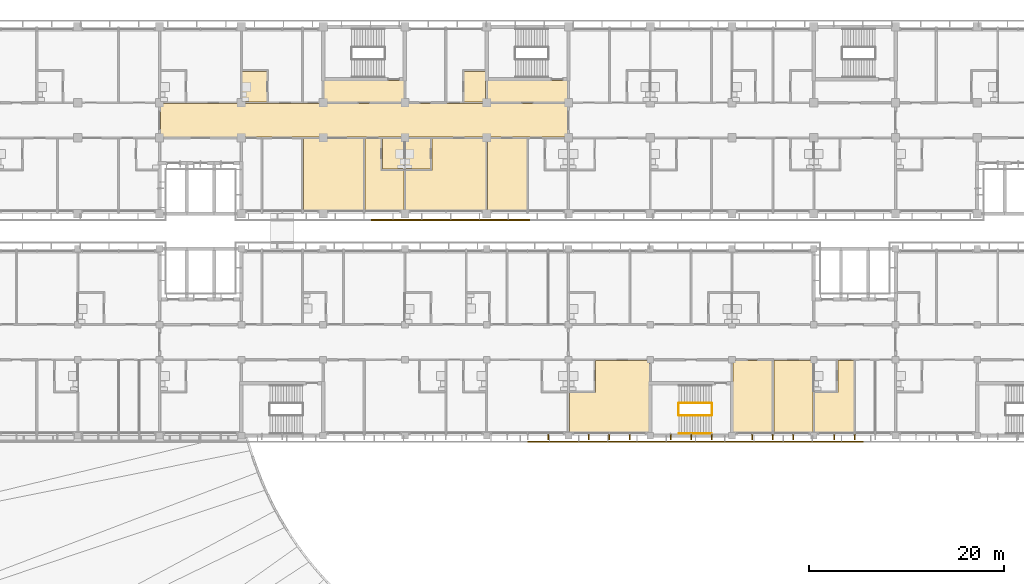
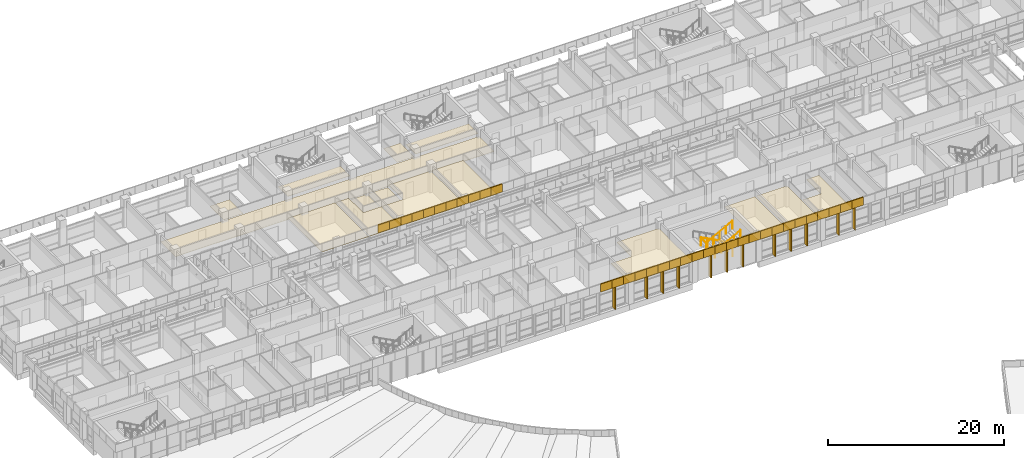
# One storey, part 66 of 74: 49 coverings, 12 shading devices, 5 railings.
"""IFC4 building model written with IfcOpenShell, lengths in metres."""

from ifc_helpers import new_model, si_unit, direction, frame, origin, origin_2d, place, context, subcontext, project, spatial, polyline, rectangle, circle, outline, extrude, material, layer, layer_set, material_profile, profile_set, type_object, element, save


model = new_model("IFC4")

# Units and contexts
model_context = context("Model", 3, precision=1e-05, world=origin(), true_north=direction((0.0, 1.0)))
body_context = subcontext(model_context, "Body", "Model", "MODEL_VIEW")
ifc_project = project(units=[si_unit("LENGTHUNIT", "METRE"), si_unit("AREAUNIT", "SQUARE_METRE"), si_unit("VOLUMEUNIT", "CUBIC_METRE"), si_unit("PLANEANGLEUNIT", "RADIAN"), si_unit("MASSUNIT", "GRAM", prefix="KILO")], contexts=[model_context])

# Site, building, storey
site_placement = place(None, origin())
site = spatial("IfcSite", under=ifc_project, at=site_placement, CompositionType="ELEMENT")
building_placement = place(site_placement, origin())
building = spatial("IfcBuilding", under=site, at=building_placement, Name="Bougainvillea Quay General Hospital", CompositionType="ELEMENT")
storey_placement = place(building_placement, frame((0.0, 0.0, 21.0)))
storey = spatial("IfcBuildingStorey", under=building, at=storey_placement, Name="L04", CompositionType="ELEMENT", Elevation=21.0)

# Coverings
ifc_material_1 = material(Name="Powder-coated aluminium fascia, white", Category="aluminium")
ifc_layer_1 = layer(ifc_material_1, 0.14990234375)
ifc_layer_set_1 = layer_set([ifc_layer_1], Name="Powder-coated aluminium fascia, white")
covering_type_1 = type_object("IfcCoveringType", Name="Aluminium fascia band white 150x1100", PredefinedType="CLADDING", material=ifc_layer_set_1)
covering_1_placement = place(storey_placement, frame((88.941162109375, 139.85009765625, 3.35009765625), z_axis=(0.0, 0.0, 1.0), x_axis=(1.0, 0.0, 0.0)))
element("IfcCovering", 1, at=covering_1_placement, inside=storey, type_object=covering_type_1, Name="Fascia band white e0 150", PredefinedType="CLADDING", context=body_context, shape_type="SweptSolid", body=[
    extrude(outline(polyline([(0.0, 0.0), (1.482421875, 0.0), (1.482421875, -0.150146484375), (0.0, -0.150146484375), (0.0, 0.0)])), origin(), (0.0, 0.0, 1.0), 1.10009765625),
])
covering_2_placement = place(storey_placement, frame((90.423583984375, 139.85009765625, 3.35009765625), z_axis=(0.0, 0.0, 1.0), x_axis=(1.0, 0.0, 0.0)))
element("IfcCovering", 2, at=covering_2_placement, inside=storey, type_object=covering_type_1, Name="Fascia band white e0 151", PredefinedType="CLADDING", context=body_context, shape_type="SweptSolid", body=[
    extrude(outline(polyline([(0.0, 0.0), (1.482177734375, 0.0), (1.482177734375, -0.150146484375), (0.0, -0.150146484375), (0.0, 0.0)])), origin(), (0.0, 0.0, 1.0), 1.10009765625),
])
for number, where, z_axis, x_axis, name in (
    (3, (91.90576171875, 139.85009765625, 3.35009765625), (0.0, 0.0, 1.0), (1.0, 0.0, 0.0), "Fascia band white e0 152"),
    (4, (93.38818359375, 139.85009765625, 3.35009765625), (0.0, 0.0, 1.0), (1.0, 0.0, 0.0), "Fascia band white e0 153"),
    (5, (94.87060546875, 139.85009765625, 3.35009765625), (0.0, 0.0, 1.0), (1.0, 0.0, 0.0), "Fascia band white e0 154"),
):
    element("IfcCovering", number, at=place(storey_placement, frame(where, z_axis=z_axis, x_axis=x_axis)), inside=storey, type_object=covering_type_1, Name=name, PredefinedType="CLADDING", context=body_context, shape_type="SweptSolid", body=[
        extrude(outline(polyline([(0.0, 0.0), (1.482421875, 0.0), (1.482421875, -0.150146484375), (0.0, -0.150146484375), (0.0, 0.0)])), origin(), (0.0, 0.0, 1.0), 1.10009765625),
    ])
covering_3_placement = place(storey_placement, frame((96.35302734375, 139.85009765625, 3.35009765625), z_axis=(0.0, 0.0, 1.0), x_axis=(1.0, 0.0, 0.0)))
element("IfcCovering", 6, at=covering_3_placement, inside=storey, type_object=covering_type_1, Name="Fascia band white e0 155", PredefinedType="CLADDING", context=body_context, shape_type="SweptSolid", body=[
    extrude(outline(polyline([(0.0, 0.0), (1.482177734375, 0.0), (1.482177734375, -0.150146484375), (0.0, -0.150146484375), (0.0, 0.0)])), origin(), (0.0, 0.0, 1.0), 1.10009765625),
])
for number, where, z_axis, x_axis, name in (
    (7, (97.835205078125, 139.85009765625, 3.35009765625), (0.0, 0.0, 1.0), (1.0, 0.0, 0.0), "Fascia band white e0 156"),
    (8, (99.317626953125, 139.85009765625, 3.35009765625), (0.0, 0.0, 1.0), (1.0, 0.0, 0.0), "Fascia band white e0 157"),
    (9, (100.800048828125, 139.85009765625, 3.35009765625), (0.0, 0.0, 1.0), (1.0, 0.0, 0.0), "Fascia band white e0 158"),
):
    element("IfcCovering", number, at=place(storey_placement, frame(where, z_axis=z_axis, x_axis=x_axis)), inside=storey, type_object=covering_type_1, Name=name, PredefinedType="CLADDING", context=body_context, shape_type="SweptSolid", body=[
        extrude(outline(polyline([(0.0, 0.0), (1.482421875, 0.0), (1.482421875, -0.150146484375), (0.0, -0.150146484375), (0.0, 0.0)])), origin(), (0.0, 0.0, 1.0), 1.10009765625),
    ])
covering_4_placement = place(storey_placement, frame((102.282470703125, 139.85009765625, 3.35009765625), z_axis=(0.0, 0.0, 1.0), x_axis=(1.0, 0.0, 0.0)))
element("IfcCovering", 10, at=covering_4_placement, inside=storey, type_object=covering_type_1, Name="Fascia band white e0 159", PredefinedType="CLADDING", context=body_context, shape_type="SweptSolid", body=[
    extrude(outline(polyline([(0.0, 0.0), (1.482177734375, 0.0), (1.482177734375, -0.150146484375), (0.0, -0.150146484375), (0.0, 0.0)])), origin(), (0.0, 0.0, 1.0), 1.10009765625),
])
covering_5_placement = place(storey_placement, frame((103.7646484375, 139.85009765625, 3.35009765625), z_axis=(0.0, 0.0, 1.0), x_axis=(1.0, 0.0, 0.0)))
element("IfcCovering", 11, at=covering_5_placement, inside=storey, type_object=covering_type_1, Name="Fascia band white e0 160", PredefinedType="CLADDING", context=body_context, shape_type="SweptSolid", body=[
    extrude(outline(polyline([(0.0, 0.0), (1.482421875, 0.0), (1.482421875, -0.150146484375), (0.0, -0.150146484375), (0.0, 0.0)])), origin(), (0.0, 0.0, 1.0), 1.10009765625),
])
for number, where, z_axis, x_axis, name in (
    (12, (105.0, 117.050048828125, 3.35009765625), (0.0, 0.0, 1.0), (1.0, 0.0, 0.0), "Fascia band white e0 56"),
    (13, (106.5, 117.050048828125, 3.35009765625), (0.0, 0.0, 1.0), (1.0, 0.0, 0.0), "Fascia band white e0 57"),
    (14, (108.0, 117.050048828125, 3.35009765625), (0.0, 0.0, 1.0), (1.0, 0.0, 0.0), "Fascia band white e0 58"),
    (15, (109.5, 117.050048828125, 3.35009765625), (0.0, 0.0, 1.0), (1.0, 0.0, 0.0), "Fascia band white e0 59"),
    (16, (111.0, 117.050048828125, 3.35009765625), (0.0, 0.0, 1.0), (1.0, 0.0, 0.0), "Fascia band white e0 60"),
    (17, (112.5, 117.050048828125, 3.35009765625), (0.0, 0.0, 1.0), (1.0, 0.0, 0.0), "Fascia band white e0 61"),
    (18, (114.0, 117.050048828125, 3.35009765625), (0.0, 0.0, 1.0), (1.0, 0.0, 0.0), "Fascia band white e0 62"),
    (19, (115.5, 117.050048828125, 3.35009765625), (0.0, 0.0, 1.0), (1.0, 0.0, 0.0), "Fascia band white e0 63"),
    (20, (117.0, 117.050048828125, 3.35009765625), (0.0, 0.0, 1.0), (1.0, 0.0, 0.0), "Fascia band white e0 64"),
    (21, (118.5, 117.050048828125, 3.35009765625), (0.0, 0.0, 1.0), (1.0, 0.0, 0.0), "Fascia band white e0 65"),
    (22, (120.0, 117.050048828125, 3.35009765625), (0.0, 0.0, 1.0), (1.0, 0.0, 0.0), "Fascia band white e0 66"),
    (23, (121.5, 117.050048828125, 3.35009765625), (0.0, 0.0, 1.0), (1.0, 0.0, 0.0), "Fascia band white e0 67"),
    (24, (123.0, 117.050048828125, 3.35009765625), (0.0, 0.0, 1.0), (1.0, 0.0, 0.0), "Fascia band white e0 68"),
    (25, (124.5, 117.050048828125, 3.35009765625), (0.0, 0.0, 1.0), (1.0, 0.0, 0.0), "Fascia band white e0 69"),
    (26, (126.0, 117.050048828125, 3.35009765625), (0.0, 0.0, 1.0), (1.0, 0.0, 0.0), "Fascia band white e0 70"),
    (27, (127.5, 117.050048828125, 3.35009765625), (0.0, 0.0, 1.0), (1.0, 0.0, 0.0), "Fascia band white e0 71"),
    (28, (129.0, 117.050048828125, 3.35009765625), (0.0, 0.0, 1.0), (1.0, 0.0, 0.0), "Fascia band white e0 72"),
    (29, (130.5, 117.050048828125, 3.35009765625), (0.0, 0.0, 1.0), (1.0, 0.0, 0.0), "Fascia band white e0 73"),
    (30, (132.0, 117.050048828125, 3.35009765625), (0.0, 0.0, 1.0), (1.0, 0.0, 0.0), "Fascia band white e0 74"),
    (31, (133.5, 117.050048828125, 3.35009765625), (0.0, 0.0, 1.0), (1.0, 0.0, 0.0), "Fascia band white e0 75"),
    (32, (135.0, 117.050048828125, 3.35009765625), (0.0, 0.0, 1.0), (1.0, 0.0, 0.0), "Fascia band white e0 76"),
    (33, (136.5, 117.050048828125, 3.35009765625), (0.0, 0.0, 1.0), (1.0, 0.0, 0.0), "Fascia band white e0 77"),
    (34, (138.0, 117.050048828125, 3.35009765625), (0.0, 0.0, 1.0), (1.0, 0.0, 0.0), "Fascia band white e0 78"),
):
    element("IfcCovering", number, at=place(storey_placement, frame(where, z_axis=z_axis, x_axis=x_axis)), inside=storey, type_object=covering_type_1, Name=name, PredefinedType="CLADDING", context=body_context, shape_type="SweptSolid", body=[
        extrude(outline(polyline([(0.0, 0.0), (1.5, 0.0), (1.5, -0.150146484375), (0.0, -0.150146484375), (0.0, 0.0)])), origin(), (0.0, 0.0, 1.0), 1.10009765625),
    ])

# Railings
ifc_material_2 = material(Name="Stainless steel 304 balustrade", Category="steel")
railing_type_1 = type_object("IfcRailingType", Name="Stair guard 1100", PredefinedType="GUARDRAIL", material=ifc_material_2)
railing_1_placement = place(storey_placement, frame((123.89990234375, 120.949951171875, 0.14990234375)))
element("IfcRailing", 35, at=railing_1_placement, inside=storey, type_object=railing_type_1, Name="L04 ST-B3 stair guard 1", PredefinedType="GUARDRAIL", context=body_context, shape_type="SweptSolid", body=[
    extrude(circle(Radius=0.02392578125, at=origin_2d()), frame((0.0, 0.0, 1.076171875), z_axis=(-0.881466638993, 0.0, 0.472246296272), x_axis=(0.0, -1.0, 0.0)), (0.0, 0.0, 1.0), 3.811767578125),
    extrude(circle(Radius=0.02099609375, at=origin_2d()), origin(), (0.0, 0.0, 1.0), 1.052001953125),
    extrude(circle(Radius=0.02099609375, at=origin_2d()), frame((-0.83984375, 0.0, 0.449951171875)), (0.0, 0.0, 1.0), 1.052001953125),
    extrude(circle(Radius=0.02099609375, at=origin_2d()), frame((-1.679931640625, 0.0, 0.89990234375)), (0.0, 0.0, 1.0), 1.052001953125),
    extrude(circle(Radius=0.02099609375, at=origin_2d()), frame((-2.52001953125, 0.0, 1.35009765625)), (0.0, 0.0, 1.0), 1.052001953125),
    extrude(circle(Radius=0.02099609375, at=origin_2d()), frame((-3.35986328125, 0.0, 1.800048828125)), (0.0, 0.0, 1.0), 1.052001953125),
])
railing_2_placement = place(storey_placement, frame((120.489990234375, 120.89990234375, 1.949951171875)))
element("IfcRailing", 36, at=railing_2_placement, inside=storey, type_object=railing_type_1, Name="L04 ST-B3 stair guard 2", PredefinedType="GUARDRAIL", context=body_context, shape_type="SweptSolid", body=[
    extrude(circle(Radius=0.02392578125, at=origin_2d()), frame((0.0, 0.0, 1.076171875), z_axis=(0.0, -1.0, 0.0), x_axis=(1.0, 0.0, 0.0)), (0.0, 0.0, 1.0), 1.199951171875),
    extrude(circle(Radius=0.02099609375, at=origin_2d()), origin(), (0.0, 0.0, 1.0), 1.052001953125),
    extrude(circle(Radius=0.02099609375, at=origin_2d()), frame((0.0, -1.199951171875, 0.0)), (0.0, 0.0, 1.0), 1.052001953125),
])
railing_3_placement = place(storey_placement, frame((120.5400390625, 119.64990234375, 2.10009765625)))
element("IfcRailing", 37, at=railing_3_placement, inside=storey, type_object=railing_type_1, Name="L04 ST-B3 stair guard 3", PredefinedType="GUARDRAIL", context=body_context, shape_type="SweptSolid", body=[
    extrude(circle(Radius=0.02392578125, at=origin_2d()), frame((0.0, 0.0, 1.076171875), z_axis=(0.881493300765, 0.0, 0.47219652763), x_axis=(0.0, 1.0, 0.0)), (0.0, 0.0, 1.0), 3.8115234375),
    extrude(circle(Radius=0.02099609375, at=origin_2d()), origin(), (0.0, 0.0, 1.0), 1.052001953125),
    extrude(circle(Radius=0.02099609375, at=origin_2d()), frame((0.83984375, 0.0, 0.449951171875)), (0.0, 0.0, 1.0), 1.052001953125),
    extrude(circle(Radius=0.02099609375, at=origin_2d()), frame((1.679931640625, 0.0, 0.89990234375)), (0.0, 0.0, 1.0), 1.052001953125),
    extrude(circle(Radius=0.02099609375, at=origin_2d()), frame((2.52001953125, 0.0, 1.349853515625)), (0.0, 0.0, 1.0), 1.052001953125),
    extrude(circle(Radius=0.02099609375, at=origin_2d()), frame((3.35986328125, 0.0, 1.7998046875)), (0.0, 0.0, 1.0), 1.052001953125),
])
railing_4_placement = place(storey_placement, frame((123.949951171875, 120.89990234375, 0.0)))
element("IfcRailing", 38, at=railing_4_placement, inside=storey, type_object=railing_type_1, Name="L04 ST-B3 stair guard 4", PredefinedType="GUARDRAIL", context=body_context, shape_type="SweptSolid", body=[
    extrude(circle(Radius=0.02392578125, at=origin_2d()), frame((0.0, 0.0, 1.076171875), z_axis=(0.0, -1.0, 0.0), x_axis=(1.0, 0.0, 0.0)), (0.0, 0.0, 1.0), 1.199951171875),
    extrude(circle(Radius=0.02099609375, at=origin_2d()), origin(), (0.0, 0.0, 1.0), 1.052001953125),
    extrude(circle(Radius=0.02099609375, at=origin_2d()), frame((0.0, -1.199951171875, 0.0)), (0.0, 0.0, 1.0), 1.052001953125),
])
ifc_material_3 = material(Name="Stainless steel 304 handrail", Category="steel")
railing_type_2 = type_object("IfcRailingType", Name="Stair handrail 900", PredefinedType="HANDRAIL", material=ifc_material_3)
railing_5_placement = place(storey_placement, frame((120.5400390625, 117.824951171875, 2.10009765625)))
element("IfcRailing", 39, at=railing_5_placement, inside=storey, type_object=railing_type_2, Name="L04 ST-B3 stair handrail 2", PredefinedType="HANDRAIL", context=body_context, shape_type="SweptSolid", body=[
    extrude(circle(Radius=0.02392578125, at=origin_2d()), frame((0.0, 0.0, 0.8759765625), z_axis=(0.881493300765, 0.0, 0.47219652763), x_axis=(0.0, 1.0, 0.0)), (0.0, 0.0, 1.0), 3.8115234375),
    extrude(circle(Radius=0.02099609375, at=origin_2d()), origin(), (0.0, 0.0, 1.0), 0.851806640625),
    extrude(circle(Radius=0.02099609375, at=origin_2d()), frame((0.83984375, 0.0, 0.449951171875)), (0.0, 0.0, 1.0), 0.851806640625),
    extrude(circle(Radius=0.02099609375, at=origin_2d()), frame((1.679931640625, 0.0, 0.89990234375)), (0.0, 0.0, 1.0), 0.851806640625),
    extrude(circle(Radius=0.02099609375, at=origin_2d()), frame((2.52001953125, 0.0, 1.349853515625)), (0.0, 0.0, 1.0), 0.851806640625),
    extrude(circle(Radius=0.02099609375, at=origin_2d()), frame((3.35986328125, 0.0, 1.7998046875)), (0.0, 0.0, 1.0), 0.851806640625),
])

# Coverings
ifc_material_4 = material(Name="Mineral fibre ceiling tile")
ifc_layer_2 = layer(ifc_material_4, 0.030029296875)
ifc_layer_set_2 = layer_set([ifc_layer_2], Name="Mineral fibre ceiling tile")
covering_type_2 = type_object("IfcCoveringType", Name="Suspended ceiling mineral fibre tile", PredefinedType="CEILING", material=ifc_layer_set_2)
covering_6_placement = place(storey_placement, frame((0.0, 0.0, 2.699951171875)))
element("IfcCovering", 40, at=covering_6_placement, inside=storey, type_object=covering_type_2, Name="Ceiling Refuge Room RR-B3-L04", PredefinedType="CEILING", context=body_context, shape_type="SweptSolid", body=[
    extrude(outline(polyline([(130.10009765625, 117.60009765625), (130.10009765625, 125.300048828125), (126.10009765625, 125.300048828125), (126.10009765625, 117.60009765625), (130.10009765625, 117.60009765625)])), origin(), (0.0, 0.0, 1.0), 0.030029296875),
])
covering_7_placement = place(storey_placement, frame((0.0, 0.0, 2.699951171875)))
element("IfcCovering", 41, at=covering_7_placement, inside=storey, type_object=covering_type_2, Name="Ceiling Smoke-proof Vestibule ST-A2", PredefinedType="CEILING", context=body_context, shape_type="SweptSolid", body=[
    extrude(outline(polyline([(92.300048828125, 151.89990234375), (92.300048828125, 154.10009765625), (84.10009765625, 154.10009765625), (84.10009765625, 151.89990234375), (92.300048828125, 151.89990234375)])), origin(), (0.0, 0.0, 1.0), 0.030029296875),
])
covering_8_placement = place(storey_placement, frame((0.0, 0.0, 2.699951171875)))
element("IfcCovering", 42, at=covering_8_placement, inside=storey, type_object=covering_type_2, Name="Ceiling Smoke-proof Vestibule ST-A5", PredefinedType="CEILING", context=body_context, shape_type="SweptSolid", body=[
    extrude(outline(polyline([(100.89990234375, 151.89990234375), (109.10009765625, 151.89990234375), (109.10009765625, 154.10009765625), (100.89990234375, 154.10009765625), (100.89990234375, 151.89990234375)])), origin(), (0.0, 0.0, 1.0), 0.030029296875),
])
covering_9_placement = place(storey_placement, frame((0.0, 0.0, 2.39990234375)))
element("IfcCovering", 43, at=covering_9_placement, inside=storey, type_object=covering_type_2, Name="Ceiling En-suite 04A08", PredefinedType="CEILING", context=body_context, shape_type="SweptSolid", body=[
    extrude(outline(polyline([(75.675048828125, 151.875), (78.22509765625, 151.875), (78.22509765625, 155.02490234375), (75.675048828125, 155.02490234375), (75.675048828125, 151.875)])), origin(), (0.0, 0.0, 1.0), 0.030029296875),
])
covering_10_placement = place(storey_placement, frame((0.0, 0.0, 2.699951171875)))
element("IfcCovering", 44, at=covering_10_placement, inside=storey, type_object=covering_type_2, Name="Ceiling Nurses' Station 04A11", PredefinedType="CEILING", context=body_context, shape_type="SweptSolid", body=[
    extrude(outline(polyline([(88.125, 140.39990234375), (88.125, 148.125), (81.97509765625, 148.125), (81.97509765625, 140.39990234375), (88.125, 140.39990234375)])), origin(), (0.0, 0.0, 1.0), 0.030029296875),
])
covering_11_placement = place(storey_placement, frame((0.0, 0.0, 2.699951171875)))
element("IfcCovering", 45, at=covering_11_placement, inside=storey, type_object=covering_type_2, Name="Ceiling Post-operative Patient Room 04A12", PredefinedType="CEILING", context=body_context, shape_type="SweptSolid", body=[
    extrude(outline(polyline([(92.324951171875, 140.39990234375), (92.324951171875, 144.824951171875), (89.925048828125, 144.824951171875), (89.925048828125, 148.125), (88.27490234375, 148.125), (88.27490234375, 140.39990234375), (92.324951171875, 140.39990234375)])), origin(), (0.0, 0.0, 1.0), 0.030029296875),
])
covering_12_placement = place(storey_placement, frame((0.0, 0.0, 2.39990234375)))
element("IfcCovering", 46, at=covering_12_placement, inside=storey, type_object=covering_type_2, Name="Ceiling En-suite 04A12", PredefinedType="CEILING", context=body_context, shape_type="SweptSolid", body=[
    extrude(outline(polyline([(90.074951171875, 144.97509765625), (92.35009765625, 144.97509765625), (92.35009765625, 148.125), (90.074951171875, 148.125), (90.074951171875, 144.97509765625)])), origin(), (0.0, 0.0, 1.0), 0.030029296875),
])
covering_13_placement = place(storey_placement, frame((0.0, 0.0, 2.699951171875)))
element("IfcCovering", 47, at=covering_13_placement, inside=storey, type_object=covering_type_2, Name="Ceiling Surgical Ward Room 04A13", PredefinedType="CEILING", context=body_context, shape_type="SweptSolid", body=[
    extrude(outline(polyline([(100.72509765625, 140.39990234375), (100.72509765625, 148.125), (95.175048828125, 148.125), (95.175048828125, 144.824951171875), (92.47509765625, 144.824951171875), (92.47509765625, 140.39990234375), (100.72509765625, 140.39990234375)])), origin(), (0.0, 0.0, 1.0), 0.030029296875),
])
covering_14_placement = place(storey_placement, frame((0.0, 0.0, 2.39990234375)))
element("IfcCovering", 48, at=covering_14_placement, inside=storey, type_object=covering_type_2, Name="Ceiling En-suite 04A13", PredefinedType="CEILING", context=body_context, shape_type="SweptSolid", body=[
    extrude(outline(polyline([(95.02490234375, 144.97509765625), (95.02490234375, 148.125), (92.449951171875, 148.125), (92.449951171875, 144.97509765625), (95.02490234375, 144.97509765625)])), origin(), (0.0, 0.0, 1.0), 0.030029296875),
])
covering_15_placement = place(storey_placement, frame((0.0, 0.0, 2.699951171875)))
element("IfcCovering", 49, at=covering_15_placement, inside=storey, type_object=covering_type_2, Name="Ceiling Treatment and Clean Utility Room 04A14", PredefinedType="CEILING", context=body_context, shape_type="SweptSolid", body=[
    extrude(outline(polyline([(104.925048828125, 140.39990234375), (104.925048828125, 148.125), (100.875, 148.125), (100.875, 140.39990234375), (104.925048828125, 140.39990234375)])), origin(), (0.0, 0.0, 1.0), 0.030029296875),
])
covering_16_placement = place(storey_placement, frame((0.0, 0.0, 2.39990234375)))
element("IfcCovering", 50, at=covering_16_placement, inside=storey, type_object=covering_type_2, Name="Ceiling En-suite 04A16", PredefinedType="CEILING", context=body_context, shape_type="SweptSolid", body=[
    extrude(outline(polyline([(100.75, 154.300048828125), (100.75, 155.02490234375), (98.47509765625, 155.02490234375), (98.47509765625, 151.875), (100.699951171875, 151.875), (100.699951171875, 154.300048828125), (100.75, 154.300048828125)])), origin(), (0.0, 0.0, 1.0), 0.030029296875),
])
covering_17_placement = place(storey_placement, frame((0.0, 0.0, 2.39990234375)))
element("IfcCovering", 51, at=covering_17_placement, inside=storey, type_object=covering_type_2, Name="Ceiling Ward Corridor A2", PredefinedType="CEILING", context=body_context, shape_type="SweptSolid", body=[
    extrude(outline(polyline([(109.10009765625, 151.699951171875), (100.699951171875, 151.699951171875), (100.699951171875, 151.72509765625), (96.699951171875, 151.72509765625), (96.699951171875, 151.699951171875), (83.89990234375, 151.699951171875), (83.89990234375, 151.72509765625), (67.300048828125, 151.72509765625), (67.300048828125, 148.300048828125), (75.699951171875, 148.300048828125), (75.699951171875, 148.27490234375), (109.10009765625, 148.27490234375), (109.10009765625, 151.699951171875)])), origin(), (0.0, 0.0, 1.0), 0.030029296875),
])
covering_18_placement = place(storey_placement, frame((0.0, 0.0, 2.699951171875)))
element("IfcCovering", 52, at=covering_18_placement, inside=storey, type_object=covering_type_2, Name="Ceiling Surgical Ward Room 04B20", PredefinedType="CEILING", context=body_context, shape_type="SweptSolid", body=[
    extrude(outline(polyline([(117.52490234375, 117.60009765625), (117.52490234375, 122.89990234375), (117.5, 122.89990234375), (117.5, 125.324951171875), (111.97509765625, 125.324951171875), (111.97509765625, 122.02490234375), (109.300048828125, 122.02490234375), (109.300048828125, 117.60009765625), (117.52490234375, 117.60009765625)])), origin(), (0.0, 0.0, 1.0), 0.030029296875),
])
covering_19_placement = place(storey_placement, frame((0.0, 0.0, 2.699951171875)))
element("IfcCovering", 53, at=covering_19_placement, inside=storey, type_object=covering_type_2, Name="Ceiling Treatment and Clean Utility Room 04B25", PredefinedType="CEILING", context=body_context, shape_type="SweptSolid", body=[
    extrude(outline(polyline([(134.324951171875, 117.60009765625), (134.324951171875, 122.175048828125), (134.35009765625, 122.175048828125), (134.35009765625, 125.324951171875), (130.300048828125, 125.324951171875), (130.300048828125, 117.60009765625), (134.324951171875, 117.60009765625)])), origin(), (0.0, 0.0, 1.0), 0.030029296875),
])
covering_20_placement = place(storey_placement, frame((0.0, 0.0, 2.699951171875)))
element("IfcCovering", 54, at=covering_20_placement, inside=storey, type_object=covering_type_2, Name="Ceiling Post-operative Patient Room 04B26", PredefinedType="CEILING", context=body_context, shape_type="SweptSolid", body=[
    extrude(outline(polyline([(138.52490234375, 117.60009765625), (138.52490234375, 125.324951171875), (136.875, 125.324951171875), (136.875, 122.02490234375), (134.47509765625, 122.02490234375), (134.47509765625, 117.60009765625), (138.52490234375, 117.60009765625)])), origin(), (0.0, 0.0, 1.0), 0.030029296875),
])

# Shading devices
ifc_material_5 = material(Name="Powder-coated aluminium fin, white", Category="aluminium")
ifc_material_profile = material_profile(ifc_material_5, rectangle(XDim=0.550048828125, YDim=0.10009765625, at=origin_2d()))
ifc_profile_set = profile_set([ifc_material_profile], Name="Powder-coated aluminium fin, white")
shading_device_type = type_object("IfcShadingDeviceType", Name="Vertical fin 550x100", PredefinedType="USERDEFINED", material=ifc_profile_set)
for number, where, z_axis, x_axis, name in (
    (55, (138.60009765625, 117.455078125, 0.0), (0.0, 0.0, 1.0), (0.0, -1.0, 0.0), "Vertical fin V5B L04 01.11"),
    (56, (136.5, 117.455078125, 0.0), (0.0, 0.0, 1.0), (0.0, -1.0, 0.0), "Vertical fin V5B L04 01.12"),
    (57, (132.300048828125, 117.455078125, 0.0), (0.0, 0.0, 1.0), (0.0, -1.0, 0.0), "Vertical fin V5B L04 01.13"),
    (58, (130.199951171875, 117.455078125, 0.0), (0.0, 0.0, 1.0), (0.0, -1.0, 0.0), "Vertical fin V5B L04 01.14"),
    (59, (128.10009765625, 117.455078125, 0.0), (0.0, 0.0, 1.0), (0.0, -1.0, 0.0), "Vertical fin V5B L04 01.15"),
    (60, (123.89990234375, 117.455078125, 0.0), (0.0, 0.0, 1.0), (0.0, -1.0, 0.0), "Vertical fin V5B L04 01.16"),
    (61, (121.800048828125, 117.455078125, 0.0), (0.0, 0.0, 1.0), (0.0, -1.0, 0.0), "Vertical fin V5B L04 01.17"),
    (62, (119.699951171875, 117.455078125, 0.0), (0.0, 0.0, 1.0), (0.0, -1.0, 0.0), "Vertical fin V5B L04 01.18"),
    (63, (115.5, 117.455078125, 0.0), (0.0, 0.0, 1.0), (0.0, -1.0, 0.0), "Vertical fin V5B L04 01.19"),
    (64, (113.39990234375, 117.455078125, 0.0), (0.0, 0.0, 1.0), (0.0, -1.0, 0.0), "Vertical fin V5B L04 01.20"),
    (65, (111.300048828125, 117.455078125, 0.0), (0.0, 0.0, 1.0), (0.0, -1.0, 0.0), "Vertical fin V5B L04 01.21"),
    (66, (107.10009765625, 117.455078125, 0.0), (0.0, 0.0, 1.0), (0.0, -1.0, 0.0), "Vertical fin V5B L04 01.22"),
):
    element("IfcShadingDevice", number, at=place(storey_placement, frame(where, z_axis=z_axis, x_axis=x_axis)), inside=storey, type_object=shading_device_type, Name=name, ObjectType="Vertical fin", PredefinedType="USERDEFINED", context=body_context, shape_type="SweptSolid", body=[
        extrude(rectangle(XDim=0.550048828125, YDim=0.10009765625, at=origin_2d()), origin(), (0.0, 0.0, 1.0), 3.330078125),
    ])

save(model, "model.ifc")
